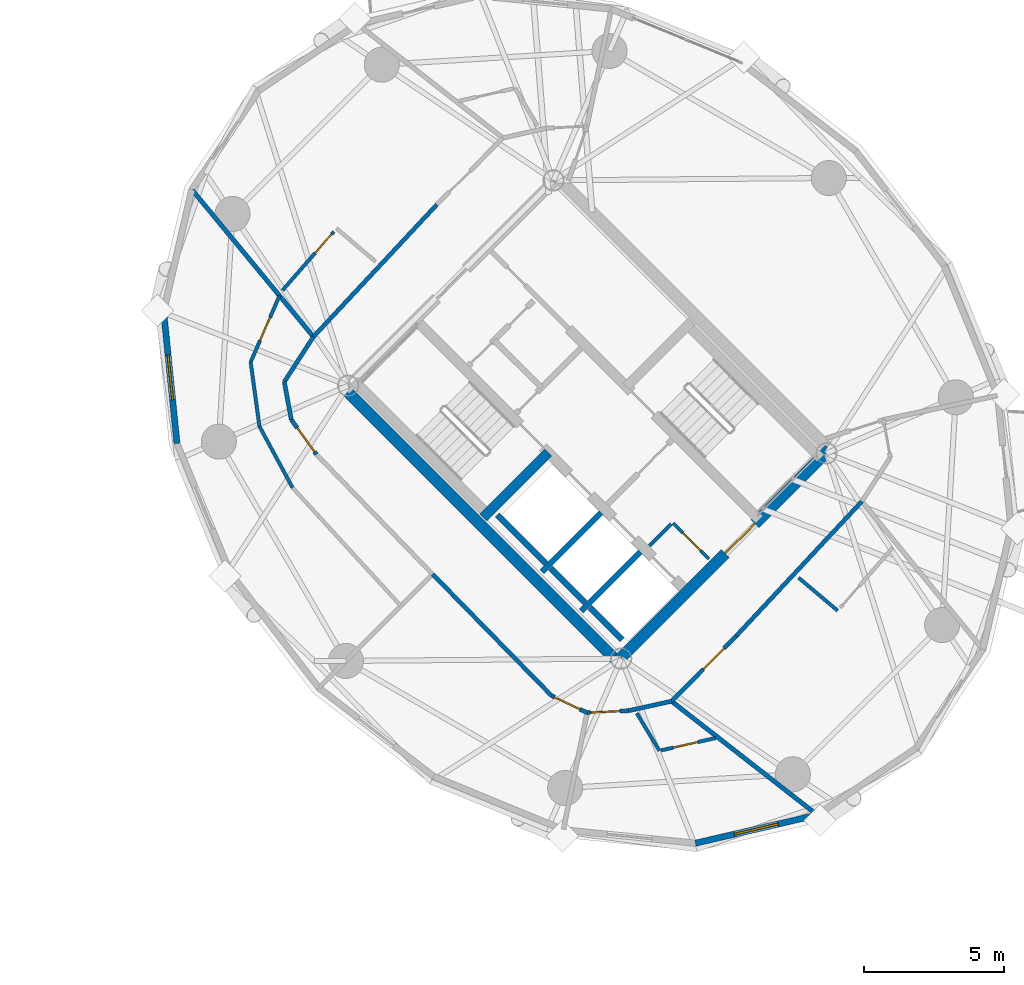
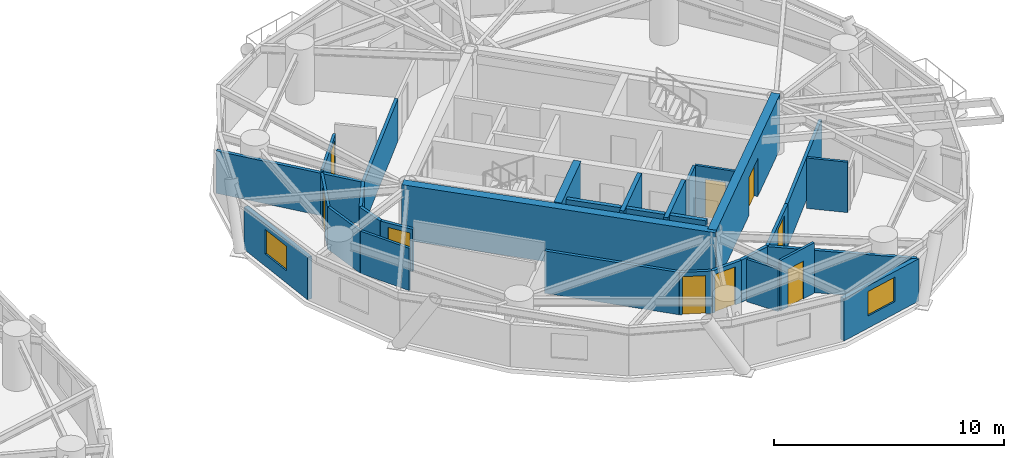
# One storey, part 13 of 19: 31 walls, 9 doors, 2 windows, 11 openings.
"""IFC4 building model written with IfcOpenShell, lengths in metres."""

from ifc_helpers import new_model, si_unit, direction, frame, frame_2d, origin, place, context, subcontext, project, spatial, rectangle, extrude, source, transform, mapped, material, layer, layer_set, type_object, element, fill, save


model = new_model("IFC4")

# Units and contexts
model_context = context("Model", 3, precision=1e-05, world=origin(), true_north=direction((0.0, 1.0)))
body_context = subcontext(model_context, "Body", "Model", "MODEL_VIEW")
ifc_project = project(units=[si_unit("LENGTHUNIT", "METRE"), si_unit("AREAUNIT", "SQUARE_METRE"), si_unit("VOLUMEUNIT", "CUBIC_METRE"), si_unit("PLANEANGLEUNIT", "RADIAN"), si_unit("MASSUNIT", "GRAM", prefix="KILO")], contexts=[model_context])

# Site, building, storey
site_placement = place(None, origin())
site = spatial("IfcSite", under=ifc_project, at=site_placement, CompositionType="ELEMENT")
building_placement = place(site_placement, origin())
building = spatial("IfcBuilding", under=site, at=building_placement, Name="Cununo Teusaquillo Station Towers", CompositionType="ELEMENT")
storey_placement = place(building_placement, frame((0.0, 0.0, 177.7900390625)))
storey = spatial("IfcBuildingStorey", under=building, at=storey_placement, Name="L56", CompositionType="ELEMENT", Elevation=177.7900390625)

# Walls
ifc_material_1 = material(Name="Concrete C50/60", Category="concrete")
ifc_layer_1 = layer(ifc_material_1, 0.199951171875)
ifc_layer_set_1 = layer_set([ifc_layer_1], Name="Concrete C50/60")
wall_type_1 = type_object("IfcWallType", Name="WL-CORE-200", PredefinedType="SHEAR", material=ifc_layer_set_1)
wall_1_placement = place(storey_placement, frame((55.8876953125, 19.0693359375, 0.0), z_axis=(0.0, 0.0, 1.0), x_axis=(0.707106781187, 0.707106781187, 0.0)))
element("IfcWall", 1, at=wall_1_placement, inside=storey, type_object=wall_type_1, Name="L56 Tower B Firefighting Lift Shaft South Shear Wall", PredefinedType="SHEAR", context=body_context, shape_type="SweptSolid", body=[
    extrude(rectangle(XDim=2.969970703125, YDim=0.199951171875, at=frame_2d((1.48486328125, 0.0))), origin(), (0.0, 0.0, 1.0), 2.909912109375),
])
wall_2_placement = place(storey_placement, frame((56.01513671875, 19.366455078125, 0.0), z_axis=(0.0, 0.0, 1.0), x_axis=(-0.707106781187, 0.707106781187, 0.0)))
element("IfcWall", 2, at=wall_2_placement, inside=storey, type_object=wall_type_1, Name="L56 Tower B Firefighting Lift Shaft Rear Shear Wall", PredefinedType="SHEAR", context=body_context, shape_type="SweptSolid", body=[
    extrude(rectangle(XDim=2.43994140625, YDim=0.199951171875, at=frame_2d((1.219970703125, 0.0))), origin(), (0.0, 0.0, 1.0), 2.909912109375),
])
wall_3_placement = place(storey_placement, frame((57.2841796875, 17.6728515625, 0.0), z_axis=(0.0, 0.0, 1.0), x_axis=(0.707147878904, 0.70706568108, 0.0)))
element("IfcWall", 3, at=wall_3_placement, inside=storey, type_object=wall_type_1, Name="L56 Tower B High-Rise Lift Hoistway Divider Shear Wall", PredefinedType="SHEAR", context=body_context, shape_type="SweptSolid", body=[
    extrude(rectangle(XDim=2.97021484375, YDim=0.199951171875, at=frame_2d((1.485107421875, 0.0))), origin(), (0.0, 0.0, 1.0), 2.909912109375),
])
wall_4_placement = place(storey_placement, frame((57.41162109375, 17.969970703125, 0.0), z_axis=(0.0, 0.0, 1.0), x_axis=(-0.707106781187, 0.707106781187, 0.0)))
element("IfcWall", 4, at=wall_4_placement, inside=storey, type_object=wall_type_1, Name="L56 Tower B High-Rise Lift 2 Shaft Rear Shear Wall", PredefinedType="SHEAR", context=body_context, shape_type="SweptSolid", body=[
    extrude(rectangle(XDim=1.73486328125, YDim=0.199951171875, at=frame_2d((0.867431640625, 0.0))), origin(), (0.0, 0.0, 1.0), 2.909912109375),
])
wall_5_placement = place(storey_placement, frame((58.7373046875, 16.64404296875, 0.0), z_axis=(0.0, 0.0, 1.0), x_axis=(-0.707032117043, 0.707181437447, 0.0)))
element("IfcWall", 5, at=wall_5_placement, inside=storey, type_object=wall_type_1, Name="L56 Tower B High-Rise Lift 1 Shaft Rear Shear Wall", PredefinedType="SHEAR", context=body_context, shape_type="SweptSolid", body=[
    extrude(rectangle(XDim=1.635009765625, YDim=0.199951171875, at=frame_2d((0.8173828125, 0.0))), origin(), (0.0, 0.0, 1.0), 2.909912109375),
])
ifc_material_2 = material(Name="Concrete C50/60", Category="concrete")
ifc_layer_2 = layer(ifc_material_2, 0.35009765625)
ifc_layer_set_2 = layer_set([ifc_layer_2], Name="Concrete C50/60")
wall_type_2 = type_object("IfcWallType", Name="WL-CORE-350", PredefinedType="SHEAR", material=ifc_layer_set_2)
wall_6_placement = place(storey_placement, frame((53.7841796875, 21.00341796875, 0.0), z_axis=(0.0, 0.0, 1.0), x_axis=(0.707106781187, 0.707106781187, 0.0)))
element("IfcWall", 6, at=wall_6_placement, inside=storey, type_object=wall_type_2, Name="L56 Tower B Core Shear Wall ST1S", PredefinedType="SHEAR", context=body_context, shape_type="SweptSolid", body=[
    extrude(rectangle(XDim=3.284912109375, YDim=0.35009765625, at=frame_2d((1.642578125, 0.0))), origin(), (0.0, 0.0, 1.0), 2.909912109375),
])
ifc_material_3 = material(Name="Concrete C50/60", Category="concrete")
ifc_layer_3 = layer(ifc_material_3, 0.39990234375)
ifc_layer_set_3 = layer_set([ifc_layer_3], Name="Concrete C50/60")
wall_type_3 = type_object("IfcWallType", Name="WL-CORE-400", PredefinedType="SHEAR", material=ifc_layer_set_3)
wall_7_placement = place(storey_placement, frame((58.7021484375, 15.73193359375, 0.0), z_axis=(0.0, 0.0, 1.0), x_axis=(-0.707106781187, 0.707106781187, 0.0)))
element("IfcWall", 7, at=wall_7_placement, inside=storey, type_object=wall_type_3, Name="L56 Tower B Core Shear Wall W", PredefinedType="SHEAR", context=body_context, shape_type="SweptSolid", body=[
    extrude(rectangle(XDim=14.10009765625, YDim=0.39990234375, at=frame_2d((7.050048828125, 0.0))), origin(), (0.0, 0.0, 1.0), 2.909912109375),
])

# Wall, opening, door
wall_8_placement = place(storey_placement, frame((58.560791015625, 15.873291015625, 0.0), z_axis=(0.0, 0.0, 1.0), x_axis=(0.707106781187, 0.707106781187, 0.0)))
wall_8 = element("IfcWall", 8, at=wall_8_placement, inside=storey, type_object=wall_type_3, Name="L56 Tower B Core Shear Wall S", PredefinedType="SHEAR", context=body_context, shape_type="SweptSolid", body=[
    extrude(rectangle(XDim=10.69970703125, YDim=0.39990234375, at=frame_2d((5.349853515625, 0.0))), origin(), (0.0, 0.0, 1.0), 2.909912109375),
])
shared_shape_1 = source(origin(), body_context, "Body", "SweptSolid", [
    extrude(rectangle(XDim=1.5, YDim=2.02001953125, at=frame_2d((0.75, 1.010009765625))), frame((0.0, 0.2099609375, 0.0), z_axis=(0.0, -1.0, 0.0), x_axis=(1.0, 0.0, 0.0)), (0.0, 0.0, 1.0), 0.419921875),
])
opening_1_placement = place(wall_8_placement, frame((5.449951171875, 0.0, 0.0)))
opening_1 = element("IfcOpeningElement", 9, at=opening_1_placement, cuts=wall_8, Name="Opening D-LB1", PredefinedType="OPENING", context=body_context, shape_type="MappedRepresentation", body=[
    mapped(shared_shape_1, transform((0.0, 0.0, 0.0), x_axis=(1.0, 0.0, 0.0), y_axis=(0.0, 1.0, 0.0), z_axis=(0.0, 0.0, 1.0), scale=1.0)),
])
ifc_material_4 = material(Name="Galvanised fire-rated hollow steel door assembly", Category="steel")
door_type_1 = type_object("IfcDoorType", Name="DR-LOBBY-1500", OperationType="DOUBLE_DOOR_SINGLE_SWING", PredefinedType="DOOR", material=ifc_material_4)
shared_shape_2 = source(origin(), body_context, "Body", "SweptSolid", [
    extrude(rectangle(XDim=1.5, YDim=2.02001953125, at=frame_2d((0.75, 1.010009765625))), frame((0.0, 0.02490234375, 0.0), z_axis=(0.0, -1.0, 0.0), x_axis=(1.0, 0.0, 0.0)), (0.0, 0.0, 1.0), 0.050048828125),
])
door_1_placement = place(opening_1_placement, origin())
door_1 = element("IfcDoor", 10, at=door_1_placement, inside=storey, type_object=door_type_1, Name="L56 Tower B South Core Lift Lobby Door", OperationType="DOUBLE_DOOR_SINGLE_SWING", OverallHeight=2.02001953125, OverallWidth=1.5, PredefinedType="DOOR", context=body_context, shape_type="MappedRepresentation", body=[
    mapped(shared_shape_2, transform((0.0, 0.0, 0.0), x_axis=(1.0, 0.0, 0.0), y_axis=(0.0, 1.0, 0.0), z_axis=(0.0, 0.0, 1.0), scale=1.0)),
])
fill(opening_1, door_1)

# Wall, opening, window
ifc_material_5 = material(Name="Precast concrete C40/50", Category="concrete")
ifc_layer_4 = layer(ifc_material_5, 0.219970703125)
ifc_layer_set_4 = layer_set([ifc_layer_4], Name="Precast concrete C40/50")
wall_type_4 = type_object("IfcWallType", Name="WL-EXT-220", PredefinedType="SOLIDWALL", material=ifc_layer_set_4)
wall_9_placement = place(storey_placement, frame((42.87255859375, 23.646484375, 0.0), z_axis=(0.0, 0.0, 1.0), x_axis=(-0.100438356004, 0.994943283129, 0.0)))
wall_9 = element("IfcWall", 11, at=wall_9_placement, inside=storey, type_object=wall_type_4, Name="L56 Tower B Exterior Facade Wall C07", PredefinedType="SOLIDWALL", context=body_context, shape_type="SweptSolid", body=[
    extrude(rectangle(XDim=4.732666015625, YDim=0.219970703125, at=frame_2d((2.3662109375, 0.0))), origin(), (0.0, 0.0, 1.0), 2.244873046875),
])
shared_shape_3 = source(origin(), body_context, "Body", "SweptSolid", [
    extrude(rectangle(XDim=1.60009765625, YDim=1.300048828125, at=frame_2d((0.800048828125, 0.64990234375))), frame((0.0, 0.119873046875, 0.0), z_axis=(0.0, -1.0, 0.0), x_axis=(1.0, 0.0, 0.0)), (0.0, 0.0, 1.0), 0.239990234375),
])
opening_2_placement = place(wall_9_placement, frame((1.56591796875, 0.0, 0.64990234375)))
opening_2 = element("IfcOpeningElement", 12, at=opening_2_placement, cuts=wall_9, Name="Opening WN-03", PredefinedType="OPENING", context=body_context, shape_type="MappedRepresentation", body=[
    mapped(shared_shape_3, transform((0.0, 0.0, 0.0), x_axis=(1.0, 0.0, 0.0), y_axis=(0.0, 1.0, 0.0), z_axis=(0.0, 0.0, 1.0), scale=1.0)),
])
ifc_material_6 = material(Name="Ceramic-fritted dark low-E double glazing", Category="glass")
window_type = type_object("IfcWindowType", Name="WIN-CORN-1600", PartitioningType="SINGLE_PANEL", PredefinedType="WINDOW", material=ifc_material_6)
shared_shape_4 = source(origin(), body_context, "Body", "SweptSolid", [
    extrude(rectangle(XDim=1.60009765625, YDim=1.300048828125, at=frame_2d((0.800048828125, 0.64990234375))), frame((0.0, 0.030029296875, 0.0), z_axis=(0.0, -1.0, 0.0), x_axis=(1.0, 0.0, 0.0)), (0.0, 0.0, 1.0), 0.06005859375),
])
window_1_placement = place(opening_2_placement, origin())
window_1 = element("IfcWindow", 13, at=window_1_placement, inside=storey, type_object=window_type, Name="L56 Tower B Facade Window C07", OverallHeight=1.300048828125, OverallWidth=1.60009765625, PartitioningType="SINGLE_PANEL", PredefinedType="WINDOW", context=body_context, shape_type="MappedRepresentation", body=[
    mapped(shared_shape_4, transform((0.0, 0.0, 0.0), x_axis=(1.0, 0.0, 0.0), y_axis=(0.0, 1.0, 0.0), z_axis=(0.0, 0.0, 1.0), scale=1.0)),
])
fill(opening_2, window_1)

wall_10_placement = place(storey_placement, frame((65.686767578125, 10.400146484375, 0.0), z_axis=(0.0, 0.0, 1.0), x_axis=(-0.97422620202, -0.22557328587, 0.0)))
wall_10 = element("IfcWall", 14, at=wall_10_placement, inside=storey, type_object=wall_type_4, Name="L56 Tower B Exterior Facade Wall C13", PredefinedType="SOLIDWALL", context=body_context, shape_type="SweptSolid", body=[
    extrude(rectangle(XDim=4.446044921875, YDim=0.219970703125, at=frame_2d((2.22314453125, 0.0))), origin(), (0.0, 0.0, 1.0), 2.244873046875),
])
opening_3_placement = place(wall_10_placement, frame((1.423095703125, 0.0, 0.64990234375)))
opening_3 = element("IfcOpeningElement", 15, at=opening_3_placement, cuts=wall_10, Name="Opening WN-03", PredefinedType="OPENING", context=body_context, shape_type="MappedRepresentation", body=[
    mapped(shared_shape_3, transform((0.0, 0.0, 0.0), x_axis=(1.0, 0.0, 0.0), y_axis=(0.0, 1.0, 0.0), z_axis=(0.0, 0.0, 1.0), scale=1.0)),
])
window_2_placement = place(opening_3_placement, origin())
window_2 = element("IfcWindow", 16, at=window_2_placement, inside=storey, type_object=window_type, Name="L56 Tower B Facade Window C13", OverallHeight=1.300048828125, OverallWidth=1.60009765625, PartitioningType="SINGLE_PANEL", PredefinedType="WINDOW", context=body_context, shape_type="MappedRepresentation", body=[
    mapped(shared_shape_4, transform((0.0, 0.0, 0.0), x_axis=(1.0, 0.0, 0.0), y_axis=(0.0, 1.0, 0.0), z_axis=(0.0, 0.0, 1.0), scale=1.0)),
])
fill(opening_3, window_2)

# Wall, opening, door
ifc_material_7 = material(Name="Fire-rated gypsum plasterboard partition assembly", Category="gypsum")
ifc_layer_5 = layer(ifc_material_7, 0.125)
ifc_layer_set_5 = layer_set([ifc_layer_5], Name="Fire-rated gypsum plasterboard partition assembly")
wall_type_5 = type_object("IfcWallType", Name="WL-PART-125", PredefinedType="PARTITIONING", material=ifc_layer_set_5)
wall_11_placement = place(storey_placement, frame((61.834716796875, 19.529052734375, 0.0), z_axis=(0.0, 0.0, 1.0), x_axis=(-0.707174592913, 0.707038962956, 0.0)))
wall_11 = element("IfcWall", 17, at=wall_11_placement, inside=storey, type_object=wall_type_5, Name="L56 Tower B South-West Compact Store East Wall", PredefinedType="PARTITIONING", context=body_context, shape_type="SweptSolid", body=[
    extrude(rectangle(XDim=1.800048828125, YDim=0.125, at=frame_2d((0.89990234375, 0.0))), origin(), (0.0, 0.0, 1.0), 2.675048828125),
])
shared_shape_5 = source(origin(), body_context, "Body", "SweptSolid", [
    extrude(rectangle(XDim=0.89990234375, YDim=2.0048828125, at=frame_2d((0.449951171875, 1.00244140625))), frame((0.0, 0.072509765625, 0.0), z_axis=(0.0, -1.0, 0.0), x_axis=(1.0, 0.0, 0.0)), (0.0, 0.0, 1.0), 0.14501953125),
])
opening_4_placement = place(wall_11_placement, frame((0.419921875, 0.0, 0.0)))
opening_4 = element("IfcOpeningElement", 18, at=opening_4_placement, cuts=wall_11, Name="Opening D-SR1", PredefinedType="OPENING", context=body_context, shape_type="MappedRepresentation", body=[
    mapped(shared_shape_5, transform((0.0, 0.0, 0.0), x_axis=(1.0, 0.0, 0.0), y_axis=(0.0, 1.0, 0.0), z_axis=(0.0, 0.0, 1.0), scale=1.0)),
])
ifc_material_8 = material(Name="Galvanised fire-rated hollow steel door assembly", Category="steel")
door_type_2 = type_object("IfcDoorType", Name="DR-STORE-900", OperationType="NOTDEFINED", PredefinedType="DOOR", material=ifc_material_8)
shared_shape_6 = source(origin(), body_context, "Body", "SweptSolid", [
    extrude(rectangle(XDim=0.89990234375, YDim=2.0048828125, at=frame_2d((0.449951171875, 1.00244140625))), frame((0.0, 0.02490234375, 0.0), z_axis=(0.0, -1.0, 0.0), x_axis=(1.0, 0.0, 0.0)), (0.0, 0.0, 1.0), 0.050048828125),
])
door_2_placement = place(opening_4_placement, origin())
door_2 = element("IfcDoor", 19, at=door_2_placement, inside=storey, type_object=door_type_2, Name="L56 Tower B Core Electrical & Comms Store Door", OperationType="SINGLE_SWING_LEFT", OverallHeight=2.0048828125, OverallWidth=0.89990234375, PredefinedType="DOOR", context=body_context, shape_type="MappedRepresentation", body=[
    mapped(shared_shape_6, transform((0.0, 0.0, 0.0), x_axis=(1.0, 0.0, 0.0), y_axis=(0.0, 1.0, 0.0), z_axis=(0.0, 0.0, 1.0), scale=1.0)),
])
fill(opening_4, door_2)

# Wall
wall_12_placement = place(storey_placement, frame((59.713134765625, 19.99560546875, 0.0), z_axis=(0.0, 0.0, 1.0), x_axis=(0.707217726, 0.706995818963, 0.0)))
element("IfcWall", 20, at=wall_12_placement, inside=storey, type_object=wall_type_5, Name="L56 Tower B South-West Compact Store North Wall", PredefinedType="PARTITIONING", context=body_context, shape_type="SweptSolid", body=[
    extrude(rectangle(XDim=1.10009765625, YDim=0.125, at=frame_2d((0.550048828125, 0.0))), origin(), (0.0, 0.0, 1.0), 2.675048828125),
])

# Wall, opening, door
wall_13_placement = place(storey_placement, frame((48.46533203125, 31.19873046875, 0.0), z_axis=(0.0, 0.0, 1.0), x_axis=(-0.658113718436, -0.752918543805, 0.0)))
wall_13 = element("IfcWall", 21, at=wall_13_placement, inside=storey, type_object=wall_type_5, Name="L56 Tower B S02 En-suite Back Wall", PredefinedType="PARTITIONING", context=body_context, shape_type="SweptSolid", body=[
    extrude(rectangle(XDim=2.786376953125, YDim=0.125, at=frame_2d((1.39306640625, 0.0))), origin(), (0.0, 0.0, 1.0), 2.244873046875),
])
opening_5_placement = place(wall_13_placement, frame((0.1201171875, 0.0, 0.0)))
opening_5 = element("IfcOpeningElement", 22, at=opening_5_placement, cuts=wall_13, Name="Opening D-IN1", PredefinedType="OPENING", context=body_context, shape_type="MappedRepresentation", body=[
    mapped(shared_shape_5, transform((0.0, 0.0, 0.0), x_axis=(1.0, 0.0, 0.0), y_axis=(0.0, 1.0, 0.0), z_axis=(0.0, 0.0, 1.0), scale=1.0)),
])
ifc_material_9 = material(Name="Acoustic solid-core hardwood leaf assembly", Category="wood")
door_type_3 = type_object("IfcDoorType", Name="DR-INT-900", OperationType="NOTDEFINED", PredefinedType="DOOR", material=ifc_material_9)
door_3_placement = place(opening_5_placement, origin())
door_3 = element("IfcDoor", 23, at=door_3_placement, inside=storey, type_object=door_type_3, Name="L56 Tower B S02 En-suite Bathroom Door", OperationType="SINGLE_SWING_LEFT", OverallHeight=2.0048828125, OverallWidth=0.89990234375, PredefinedType="DOOR", context=body_context, shape_type="MappedRepresentation", body=[
    mapped(shared_shape_6, transform((0.0, 0.0, 0.0), x_axis=(1.0, 0.0, 0.0), y_axis=(0.0, 1.0, 0.0), z_axis=(0.0, 0.0, 1.0), scale=1.0)),
])
fill(opening_5, door_3)

wall_14_placement = place(storey_placement, frame((46.52685546875, 28.9130859375, 0.0), z_axis=(0.0, 0.0, 1.0), x_axis=(-0.398002989165, -0.917384118358, 0.0)))
wall_14 = element("IfcWall", 24, at=wall_14_placement, inside=storey, type_object=wall_type_5, Name="L56 Tower B Hotel Tea & Cigar Conservatory Concentric Partition Wall C06", PredefinedType="PARTITIONING", context=body_context, shape_type="SweptSolid", body=[
    extrude(rectangle(XDim=2.58056640625, YDim=0.125, at=frame_2d((1.290283203125, 0.0))), origin(), (0.0, 0.0, 1.0), 2.244873046875),
])
opening_6_placement = place(wall_14_placement, frame((0.84033203125, 0.0, 0.0)))
opening_6 = element("IfcOpeningElement", 25, at=opening_6_placement, cuts=wall_14, Name="Opening D-IN1", PredefinedType="OPENING", context=body_context, shape_type="MappedRepresentation", body=[
    mapped(shared_shape_5, transform((0.0, 0.0, 0.0), x_axis=(1.0, 0.0, 0.0), y_axis=(0.0, 1.0, 0.0), z_axis=(0.0, 0.0, 1.0), scale=1.0)),
])
door_4_placement = place(opening_6_placement, origin())
door_4 = element("IfcDoor", 26, at=door_4_placement, inside=storey, type_object=door_type_3, Name="L56 Tower B Hotel Tea & Cigar Conservatory Connecting Door", OperationType="SINGLE_SWING_LEFT", OverallHeight=2.0048828125, OverallWidth=0.89990234375, PredefinedType="DOOR", context=body_context, shape_type="MappedRepresentation", body=[
    mapped(shared_shape_6, transform((0.0, 0.0, 0.0), x_axis=(1.0, 0.0, 0.0), y_axis=(0.0, 1.0, 0.0), z_axis=(0.0, 0.0, 1.0), scale=1.0)),
])
fill(opening_6, door_4)

# Walls
wall_15_placement = place(storey_placement, frame((45.499755859375, 26.545654296875, 0.0), z_axis=(0.0, 0.0, 1.0), x_axis=(0.134877351861, -0.990862301208, 0.0)))
element("IfcWall", 27, at=wall_15_placement, inside=storey, type_object=wall_type_5, Name="L56 Tower B Hotel Tea & Cigar Conservatory Concentric Partition Wall C07", PredefinedType="PARTITIONING", context=body_context, shape_type="SweptSolid", body=[
    extrude(rectangle(XDim=2.3095703125, YDim=0.125, at=frame_2d((1.15478515625, 0.0))), origin(), (0.0, 0.0, 1.0), 2.244873046875),
])
wall_16_placement = place(storey_placement, frame((45.811279296875, 24.257080078125, 0.0), z_axis=(0.0, 0.0, 1.0), x_axis=(0.474867364042, -0.880057376861, 0.0)))
element("IfcWall", 28, at=wall_16_placement, inside=storey, type_object=wall_type_5, Name="L56 Tower B Hotel Tea & Cigar Conservatory Concentric Partition Wall C08", PredefinedType="PARTITIONING", context=body_context, shape_type="SweptSolid", body=[
    extrude(rectangle(XDim=2.484130859375, YDim=0.125, at=frame_2d((1.2421875, 0.0))), origin(), (0.0, 0.0, 1.0), 2.244873046875),
])
wall_17_placement = place(storey_placement, frame((59.26513671875, 14.027587890625, 0.0), z_axis=(0.0, 0.0, 1.0), x_axis=(0.515875690436, -0.856663453181, 0.0)))
element("IfcWall", 29, at=wall_17_placement, inside=storey, type_object=wall_type_5, Name="L56 Tower B S05 En-suite Side Wall", PredefinedType="PARTITIONING", context=body_context, shape_type="SweptSolid", body=[
    extrude(rectangle(XDim=1.560302734375, YDim=0.125, at=frame_2d((0.7802734375, 0.0))), origin(), (0.0, 0.0, 1.0), 2.244873046875),
])

# Wall, opening, door
wall_18_placement = place(storey_placement, frame((60.130859375, 12.70458984375, 0.0), z_axis=(0.0, 0.0, 1.0), x_axis=(0.975184609806, 0.221393262767, 0.0)))
wall_18 = element("IfcWall", 30, at=wall_18_placement, inside=storey, type_object=wall_type_5, Name="L56 Tower B S05 En-suite Back Wall", PredefinedType="PARTITIONING", context=body_context, shape_type="SweptSolid", body=[
    extrude(rectangle(XDim=1.991455078125, YDim=0.125, at=frame_2d((0.99560546875, 0.0))), origin(), (0.0, 0.0, 1.0), 2.675048828125),
])
opening_7_placement = place(wall_18_placement, frame((0.439208984375, 0.0, 0.0)))
opening_7 = element("IfcOpeningElement", 31, at=opening_7_placement, cuts=wall_18, Name="Opening D-IN1", PredefinedType="OPENING", context=body_context, shape_type="MappedRepresentation", body=[
    mapped(shared_shape_5, transform((0.0, 0.0, 0.0), x_axis=(1.0, 0.0, 0.0), y_axis=(0.0, 1.0, 0.0), z_axis=(0.0, 0.0, 1.0), scale=1.0)),
])
door_5_placement = place(opening_7_placement, origin())
door_5 = element("IfcDoor", 32, at=door_5_placement, inside=storey, type_object=door_type_3, Name="L56 Tower B S05 En-suite Bathroom Door", OperationType="SINGLE_SWING_RIGHT", OverallHeight=2.0048828125, OverallWidth=0.89990234375, PredefinedType="DOOR", context=body_context, shape_type="MappedRepresentation", body=[
    mapped(shared_shape_6, transform((0.0, 0.0, 0.0), x_axis=(1.0, 0.0, 0.0), y_axis=(0.0, 1.0, 0.0), z_axis=(0.0, 0.0, 1.0), scale=1.0)),
])
fill(opening_7, door_5)

# Walls
wall_19_placement = place(storey_placement, frame((65.032958984375, 18.85595703125, 0.0), z_axis=(0.0, 0.0, 1.0), x_axis=(0.764632588969, -0.644466449, 0.0)))
element("IfcWall", 33, at=wall_19_placement, inside=storey, type_object=wall_type_5, Name="L56 Tower B S06 En-suite Side Wall", PredefinedType="PARTITIONING", context=body_context, shape_type="SweptSolid", body=[
    extrude(rectangle(XDim=1.818359375, YDim=0.125, at=frame_2d((0.9091796875, 0.0))), origin(), (0.0, 0.0, 1.0), 2.675048828125),
])
ifc_material_10 = material(Name="Fire-rated gypsum plasterboard partition assembly", Category="gypsum")
ifc_layer_6 = layer(ifc_material_10, 0.14990234375)
ifc_layer_set_6 = layer_set([ifc_layer_6], Name="Fire-rated gypsum plasterboard partition assembly")
wall_type_6 = type_object("IfcWallType", Name="WL-PART-150", PredefinedType="PARTITIONING", material=ifc_layer_set_6)
wall_20_placement = place(storey_placement, frame((52.13525390625, 32.159423828125, 0.0), z_axis=(0.0, 0.0, 1.0), x_axis=(-0.682546302454, -0.730842353047, 0.0)))
element("IfcWall", 34, at=wall_20_placement, inside=storey, type_object=wall_type_6, Name="L56 Tower B Corridor Ring Wall C05", PredefinedType="PARTITIONING", context=body_context, shape_type="SweptSolid", body=[
    extrude(rectangle(XDim=6.4453125, YDim=0.14990234375, at=frame_2d((3.22265625, 0.0))), origin(), (0.0, 0.0, 1.0), 2.244873046875),
])
wall_21_placement = place(storey_placement, frame((47.736083984375, 27.448974609375, 0.0), z_axis=(0.0, 0.0, 1.0), x_axis=(-0.542589259408, -0.839998152126, 0.0)))
element("IfcWall", 35, at=wall_21_placement, inside=storey, type_object=wall_type_6, Name="L56 Tower B Corridor Ring Wall C06", PredefinedType="PARTITIONING", context=body_context, shape_type="SweptSolid", body=[
    extrude(rectangle(XDim=1.911865234375, YDim=0.14990234375, at=frame_2d((0.9560546875, 0.0))), origin(), (0.0, 0.0, 1.0), 2.244873046875),
])
wall_22_placement = place(storey_placement, frame((46.69873046875, 25.843017578125, 0.0), z_axis=(0.0, 0.0, 1.0), x_axis=(0.180451258011, -0.983583928032, 0.0)))
element("IfcWall", 36, at=wall_22_placement, inside=storey, type_object=wall_type_6, Name="L56 Tower B Corridor Ring Wall C07", PredefinedType="PARTITIONING", context=body_context, shape_type="SweptSolid", body=[
    extrude(rectangle(XDim=1.371826171875, YDim=0.14990234375, at=frame_2d((0.68603515625, 0.0))), origin(), (0.0, 0.0, 1.0), 2.244873046875),
])

# Wall, opening, door
wall_23_placement = place(storey_placement, frame((46.9462890625, 24.49365234375, 0.0), z_axis=(0.0, 0.0, 1.0), x_axis=(0.586340262528, -0.810064871809, 0.0)))
wall_23 = element("IfcWall", 37, at=wall_23_placement, inside=storey, type_object=wall_type_6, Name="L56 Tower B Corridor Ring Wall C08", PredefinedType="PARTITIONING", context=body_context, shape_type="SweptSolid", body=[
    extrude(rectangle(XDim=1.531005859375, YDim=0.14990234375, at=frame_2d((0.765625, 0.0))), origin(), (0.0, 0.0, 1.0), 2.244873046875),
])
shared_shape_7 = source(origin(), body_context, "Body", "SweptSolid", [
    extrude(rectangle(XDim=1.050048828125, YDim=2.014892578125, at=frame_2d((0.52490234375, 1.00732421875))), frame((0.0, 0.0849609375, 0.0), z_axis=(0.0, -1.0, 0.0), x_axis=(1.0, 0.0, 0.0)), (0.0, 0.0, 1.0), 0.169921875),
])
opening_8_placement = place(wall_23_placement, frame((0.36083984375, 0.0, 0.0)))
opening_8 = element("IfcOpeningElement", 38, at=opening_8_placement, cuts=wall_23, Name="Opening D-SU1", PredefinedType="OPENING", context=body_context, shape_type="MappedRepresentation", body=[
    mapped(shared_shape_7, transform((0.0, 0.0, 0.0), x_axis=(1.0, 0.0, 0.0), y_axis=(0.0, 1.0, 0.0), z_axis=(0.0, 0.0, 1.0), scale=1.0)),
])
ifc_material_11 = material(Name="Acoustic solid-core hardwood leaf assembly", Category="wood")
door_type_4 = type_object("IfcDoorType", Name="DR-SUITE-1050", OperationType="NOTDEFINED", PredefinedType="DOOR", material=ifc_material_11)
shared_shape_8 = source(origin(), body_context, "Body", "SweptSolid", [
    extrude(rectangle(XDim=1.050048828125, YDim=2.014892578125, at=frame_2d((0.52490234375, 1.00732421875))), frame((0.0, 0.02490234375, 0.0), z_axis=(0.0, -1.0, 0.0), x_axis=(1.0, 0.0, 0.0)), (0.0, 0.0, 1.0), 0.050048828125),
])
door_6_placement = place(opening_8_placement, origin())
door_6 = element("IfcDoor", 39, at=door_6_placement, inside=storey, type_object=door_type_4, Name="L56 Tower B Hotel Tea & Cigar Conservatory Entrance Door", OperationType="SINGLE_SWING_RIGHT", OverallHeight=2.014892578125, OverallWidth=1.050048828125, PredefinedType="DOOR", context=body_context, shape_type="MappedRepresentation", body=[
    mapped(shared_shape_8, transform((0.0, 0.0, 0.0), x_axis=(1.0, 0.0, 0.0), y_axis=(0.0, 1.0, 0.0), z_axis=(0.0, 0.0, 1.0), scale=1.0)),
])
fill(opening_8, door_6)

# Wall
wall_24_placement = place(storey_placement, frame((51.984619140625, 18.984619140625, 0.0), z_axis=(0.0, 0.0, 1.0), x_axis=(0.699619654291, -0.714515457726, 0.0)))
element("IfcWall", 40, at=wall_24_placement, inside=storey, type_object=wall_type_6, Name="L56 Tower B Corridor Ring Wall C10", PredefinedType="PARTITIONING", context=body_context, shape_type="SweptSolid", body=[
    extrude(rectangle(XDim=6.064208984375, YDim=0.14990234375, at=frame_2d((3.0322265625, 0.0))), origin(), (0.0, 0.0, 1.0), 2.244873046875),
])

# Wall, opening, door
wall_25_placement = place(storey_placement, frame((56.227294921875, 14.651611328125, 0.0), z_axis=(0.0, 0.0, 1.0), x_axis=(0.902364039563, -0.430974639745, 0.0)))
wall_25 = element("IfcWall", 41, at=wall_25_placement, inside=storey, type_object=wall_type_6, Name="L56 Tower B Corridor Ring Wall C11", PredefinedType="PARTITIONING", context=body_context, shape_type="SweptSolid", body=[
    extrude(rectangle(XDim=1.4013671875, YDim=0.14990234375, at=frame_2d((0.70068359375, 0.0))), origin(), (0.0, 0.0, 1.0), 2.244873046875),
])
shared_shape_9 = source(origin(), body_context, "Body", "SweptSolid", [
    extrude(rectangle(XDim=1.0, YDim=2.014892578125, at=frame_2d((0.5, 1.00732421875))), frame((0.0, 0.0849609375, 0.0), z_axis=(0.0, -1.0, 0.0), x_axis=(1.0, 0.0, 0.0)), (0.0, 0.0, 1.0), 0.169921875),
])
opening_9_placement = place(wall_25_placement, frame((0.1201171875, 0.0, 0.0)))
opening_9 = element("IfcOpeningElement", 42, at=opening_9_placement, cuts=wall_25, Name="Opening D-AC1", PredefinedType="OPENING", context=body_context, shape_type="MappedRepresentation", body=[
    mapped(shared_shape_9, transform((0.0, 0.0, 0.0), x_axis=(1.0, 0.0, 0.0), y_axis=(0.0, 1.0, 0.0), z_axis=(0.0, 0.0, 1.0), scale=1.0)),
])
ifc_material_12 = material(Name="Acoustic solid-core hardwood leaf assembly", Category="wood")
door_type_5 = type_object("IfcDoorType", Name="DR-ACC-1000", OperationType="NOTDEFINED", PredefinedType="DOOR", material=ifc_material_12)
shared_shape_10 = source(origin(), body_context, "Body", "SweptSolid", [
    extrude(rectangle(XDim=1.0, YDim=2.014892578125, at=frame_2d((0.5, 1.00732421875))), frame((0.0, 0.02490234375, 0.0), z_axis=(0.0, -1.0, 0.0), x_axis=(1.0, 0.0, 0.0)), (0.0, 0.0, 1.0), 0.050048828125),
])
door_7_placement = place(opening_9_placement, origin())
door_7 = element("IfcDoor", 43, at=door_7_placement, inside=storey, type_object=door_type_5, Name="L56 Tower B Public Accessible Restroom WC Entrance Door", OperationType="SINGLE_SWING_RIGHT", OverallHeight=2.014892578125, OverallWidth=1.0, PredefinedType="DOOR", context=body_context, shape_type="MappedRepresentation", body=[
    mapped(shared_shape_10, transform((0.0, 0.0, 0.0), x_axis=(1.0, 0.0, 0.0), y_axis=(0.0, 1.0, 0.0), z_axis=(0.0, 0.0, 1.0), scale=1.0)),
])
fill(opening_9, door_7)

wall_26_placement = place(storey_placement, frame((57.491943359375, 14.047607421875, 0.0), z_axis=(0.0, 0.0, 1.0), x_axis=(0.99885011351, 0.047942160364, 0.0)))
wall_26 = element("IfcWall", 44, at=wall_26_placement, inside=storey, type_object=wall_type_6, Name="L56 Tower B Corridor Ring Wall C12", PredefinedType="PARTITIONING", context=body_context, shape_type="SweptSolid", body=[
    extrude(rectangle(XDim=1.476806640625, YDim=0.14990234375, at=frame_2d((0.73828125, 0.0))), origin(), (0.0, 0.0, 1.0), 2.244873046875),
])
opening_10_placement = place(wall_26_placement, frame((0.1201171875, 0.0, 0.0)))
opening_10 = element("IfcOpeningElement", 45, at=opening_10_placement, cuts=wall_26, Name="Opening D-SU1", PredefinedType="OPENING", context=body_context, shape_type="MappedRepresentation", body=[
    mapped(shared_shape_7, transform((0.0, 0.0, 0.0), x_axis=(1.0, 0.0, 0.0), y_axis=(0.0, 1.0, 0.0), z_axis=(0.0, 0.0, 1.0), scale=1.0)),
])
door_8_placement = place(opening_10_placement, origin())
door_8 = element("IfcDoor", 46, at=door_8_placement, inside=storey, type_object=door_type_4, Name="L56 Tower B Emerald Horizon Hotel Suite Entrance Door", OperationType="SINGLE_SWING_LEFT", OverallHeight=2.014892578125, OverallWidth=1.050048828125, PredefinedType="DOOR", context=body_context, shape_type="MappedRepresentation", body=[
    mapped(shared_shape_8, transform((0.0, 0.0, 0.0), x_axis=(1.0, 0.0, 0.0), y_axis=(0.0, 1.0, 0.0), z_axis=(0.0, 0.0, 1.0), scale=1.0)),
])
fill(opening_10, door_8)

# Wall
wall_27_placement = place(storey_placement, frame((58.967041015625, 14.118408203125, 0.0), z_axis=(0.0, 0.0, 1.0), x_axis=(0.976471358036, 0.215647135235, 0.0)))
element("IfcWall", 47, at=wall_27_placement, inside=storey, type_object=wall_type_6, Name="L56 Tower B Corridor Ring Wall C13", PredefinedType="PARTITIONING", context=body_context, shape_type="SweptSolid", body=[
    extrude(rectangle(XDim=1.5712890625, YDim=0.14990234375, at=frame_2d((0.78564453125, 0.0))), origin(), (0.0, 0.0, 1.0), 2.244873046875),
])

# Wall, opening, door
wall_28_placement = place(storey_placement, frame((60.50146484375, 14.457275390625, 0.0), z_axis=(0.0, 0.0, 1.0), x_axis=(0.704012266258, 0.710187812454, 0.0)))
wall_28 = element("IfcWall", 48, at=wall_28_placement, inside=storey, type_object=wall_type_6, Name="L56 Tower B Corridor Ring Wall C14", PredefinedType="PARTITIONING", context=body_context, shape_type="SweptSolid", body=[
    extrude(rectangle(XDim=3.28125, YDim=0.14990234375, at=frame_2d((1.640625, 0.0))), origin(), (0.0, 0.0, 1.0), 2.244873046875),
])
opening_11_placement = place(wall_28_placement, frame((1.613525390625, 0.0, 0.0)))
opening_11 = element("IfcOpeningElement", 49, at=opening_11_placement, cuts=wall_28, Name="Opening D-SU1", PredefinedType="OPENING", context=body_context, shape_type="MappedRepresentation", body=[
    mapped(shared_shape_7, transform((0.0, 0.0, 0.0), x_axis=(1.0, 0.0, 0.0), y_axis=(0.0, 1.0, 0.0), z_axis=(0.0, 0.0, 1.0), scale=1.0)),
])
door_9_placement = place(opening_11_placement, origin())
door_9 = element("IfcDoor", 50, at=door_9_placement, inside=storey, type_object=door_type_4, Name="L56 Tower B Paramo View Hotel Suite Entrance Door", OperationType="SINGLE_SWING_LEFT", OverallHeight=2.014892578125, OverallWidth=1.050048828125, PredefinedType="DOOR", context=body_context, shape_type="MappedRepresentation", body=[
    mapped(shared_shape_8, transform((0.0, 0.0, 0.0), x_axis=(1.0, 0.0, 0.0), y_axis=(0.0, 1.0, 0.0), z_axis=(0.0, 0.0, 1.0), scale=1.0)),
])
fill(opening_11, door_9)

# Walls
wall_29_placement = place(storey_placement, frame((62.8115234375, 16.78759765625, 0.0), z_axis=(0.0, 0.0, 1.0), x_axis=(0.682323555485, 0.731050316757, 0.0)))
element("IfcWall", 51, at=wall_29_placement, inside=storey, type_object=wall_type_6, Name="L56 Tower B Corridor Ring Wall C15", PredefinedType="PARTITIONING", context=body_context, shape_type="SweptSolid", body=[
    extrude(rectangle(XDim=6.55859375, YDim=0.14990234375, at=frame_2d((3.279296875, 0.0))), origin(), (0.0, 0.0, 1.0), 2.244873046875),
])
ifc_material_13 = material(Name="Fire-rated gypsum plasterboard partition assembly", Category="gypsum")
ifc_layer_7 = layer(ifc_material_13, 0.159912109375)
ifc_layer_set_7 = layer_set([ifc_layer_7], Name="Fire-rated gypsum plasterboard partition assembly")
wall_type_7 = type_object("IfcWallType", Name="WL-PART-160", PredefinedType="PARTITIONING", material=ifc_layer_set_7)
wall_30_placement = place(storey_placement, frame((47.736083984375, 27.448974609375, 0.0), z_axis=(0.0, 0.0, 1.0), x_axis=(-0.636785609289, 0.771040911886, 0.0)))
element("IfcWall", 52, at=wall_30_placement, inside=storey, type_object=wall_type_7, Name="L56 Tower B Radial Suite Partition R03", PredefinedType="PARTITIONING", context=body_context, shape_type="SweptSolid", body=[
    extrude(rectangle(XDim=6.781005859375, YDim=0.159912109375, at=frame_2d((3.390625, 0.0))), origin(), (0.0, 0.0, 1.0), 2.244873046875),
])
wall_31_placement = place(storey_placement, frame((60.50146484375, 14.457275390625, 0.0), z_axis=(0.0, 0.0, 1.0), x_axis=(0.788354052705, -0.61522181982, 0.0)))
element("IfcWall", 53, at=wall_31_placement, inside=storey, type_object=wall_type_7, Name="L56 Tower B Radial Suite Partition R06", PredefinedType="PARTITIONING", context=body_context, shape_type="SweptSolid", body=[
    extrude(rectangle(XDim=6.565673828125, YDim=0.159912109375, at=frame_2d((3.28271484375, 0.0))), origin(), (0.0, 0.0, 1.0), 2.244873046875),
])

save(model, "model.ifc")
